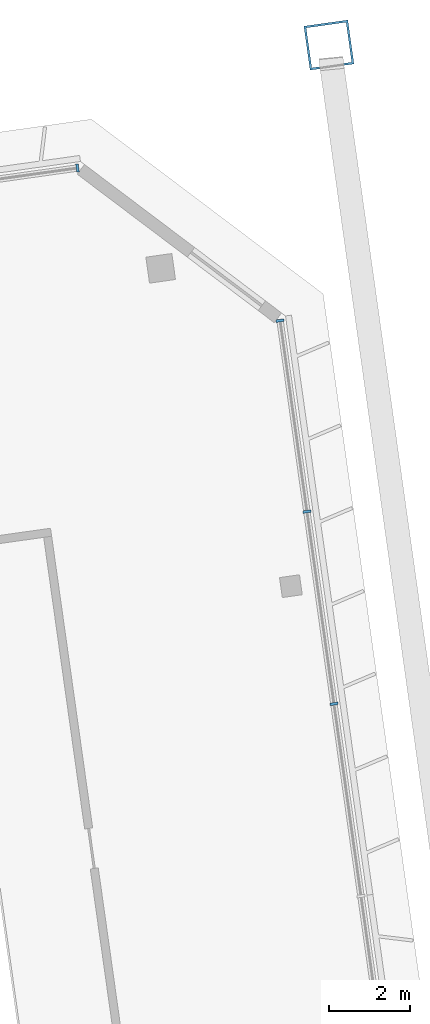
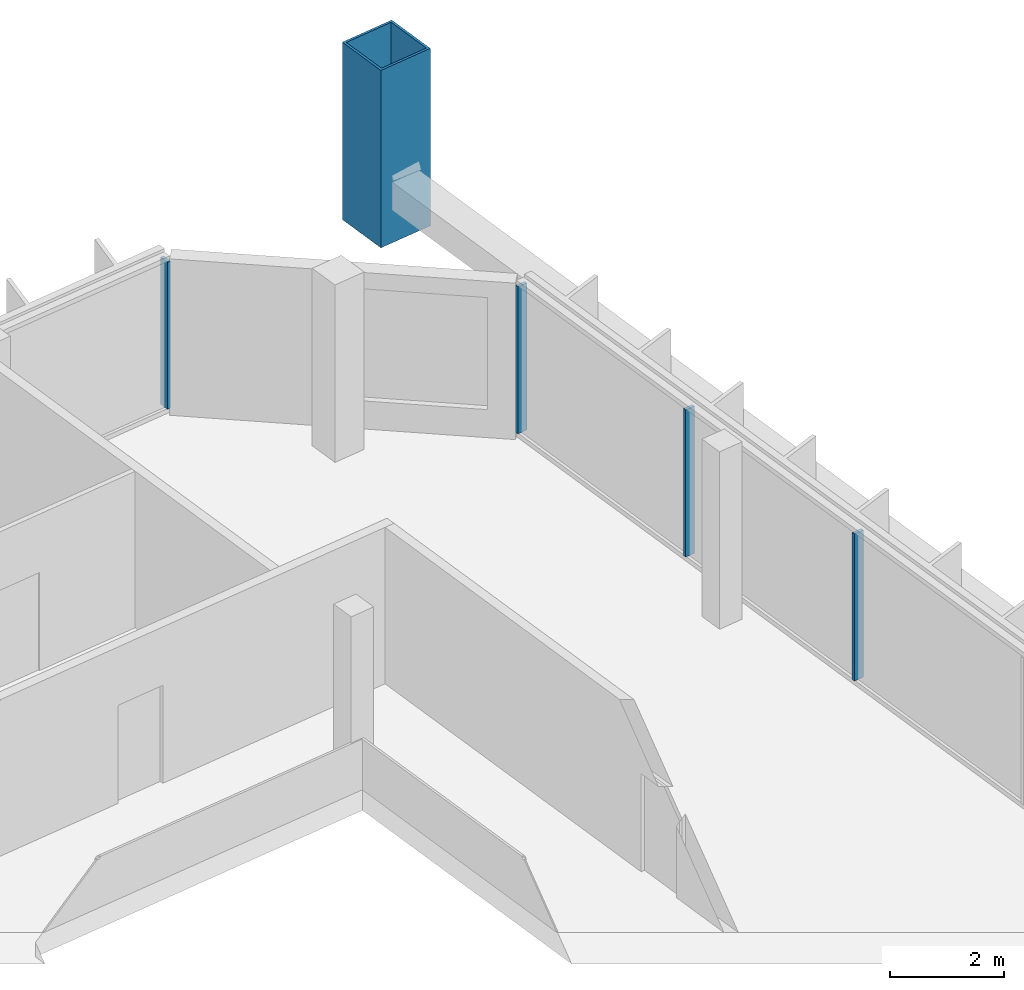
# One storey, part 14 of 26: 5 members, 2 elements without a shape of their own.
"""IFC4 building model written with IfcOpenShell, lengths in metres."""

from ifc_helpers import new_model, si_unit, direction, frame, origin, origin_2d, place, context, subcontext, project, spatial, rectangle, hollow_rectangle, extrude, material, material_profile, profile_set, type_object, element, aggregate, save


model = new_model("IFC4")

# Units and contexts
model_context = context("Model", 3, precision=1e-05, world=origin(), true_north=direction((0.0, 1.0)))
body_context = subcontext(model_context, "Body", "Model", "MODEL_VIEW")
ifc_project = project(units=[si_unit("LENGTHUNIT", "METRE"), si_unit("AREAUNIT", "SQUARE_METRE"), si_unit("VOLUMEUNIT", "CUBIC_METRE"), si_unit("PLANEANGLEUNIT", "RADIAN"), si_unit("MASSUNIT", "GRAM", prefix="KILO")], contexts=[model_context])

# Site, building, storey
site_placement = place(None, origin())
site = spatial("IfcSite", under=ifc_project, at=site_placement, CompositionType="ELEMENT")
building_placement = place(site_placement, origin())
building = spatial("IfcBuilding", under=site, at=building_placement, Name="Mirante Cascada Hotel Towers", CompositionType="ELEMENT")
storey_placement = place(building_placement, frame((0.0, 0.0, 235.6)))
storey = spatial("IfcBuildingStorey", under=building, at=storey_placement, Name="L56", CompositionType="ELEMENT", Elevation=235.6)

# Member
ifc_material_1 = material(Name="Steel ASTM A572 Gr 50", Category="steel")
ifc_material_profile_1 = material_profile(ifc_material_1, hollow_rectangle(XDim=1.1, YDim=1.1, WallThickness=0.05, at=origin_2d()), Name="Box post 1100x1100x50 ASTM A572 Gr 50")
ifc_profile_set_1 = profile_set([ifc_material_profile_1], Name="Steel ASTM A572 Gr 50")
member_type_1 = type_object("IfcMemberType", Name="Box post 1100x1100x50 ASTM A572 Gr 50", PredefinedType="POST", material=ifc_profile_set_1)
member_1_placement = place(storey_placement, frame((64.7076, 24.0842, 0.0), z_axis=(0.0, 0.0, 1.0), x_axis=(0.9902681, 0.1391731, 0.0)))
element("IfcMember", 1, at=member_1_placement, inside=storey, type_object=member_type_1, Name="Mega column MP3 T2 L56", PredefinedType="POST", context=body_context, shape_type="SweptSolid", body=[
    extrude(hollow_rectangle(XDim=1.1, YDim=1.1, WallThickness=0.05, at=origin_2d()), origin(), (0.0, 0.0, 1.0), 3.8),
])

# Curtain wall, member
ifc_material_2 = material(Name="Aluminium mullion and transom frame with clear laminated glass", Category="aluminium")
curtain_wall_type_1 = type_object("IfcCurtainWallType", Name="Ribbon curtain wall ECW1", PredefinedType="NOTDEFINED", material=ifc_material_2)
curtain_wall_1_placement = place(storey_placement, origin())
curtain_wall_1 = element("IfcCurtainWall", 2, at=curtain_wall_1_placement, inside=storey, type_object=curtain_wall_type_1, Name="Front ribbon wall T2 L56", PredefinedType="NOTDEFINED")
ifc_material_3 = material(Name="Anodised aluminium extrusion", Category="aluminium")
ifc_material_profile_2 = material_profile(ifc_material_3, rectangle(XDim=0.2, YDim=0.065, at=origin_2d()), Name="ECW1 MULLION 65x200")
ifc_profile_set_2 = profile_set([ifc_material_profile_2], Name="Anodised aluminium extrusion")
member_type_2 = type_object("IfcMemberType", Name="ECW1 mullion 65x200", PredefinedType="MULLION", material=ifc_profile_set_2)
member_2_placement = place(storey_placement, frame((58.4763, 21.0373, 0.1), z_axis=(0.0, 0.0, 1.0), x_axis=(0.1391731, -0.9902681, 0.0)))
member_2 = element("IfcMember", 3, at=member_2_placement, type_object=member_type_2, Name="ECW1 mullion 1", PredefinedType="MULLION", context=body_context, shape_type="SweptSolid", body=[
    extrude(rectangle(XDim=0.2, YDim=0.065, at=origin_2d()), origin(), (0.0, 0.0, 1.0), 3.15),
])
aggregate(curtain_wall_1, [member_2])

# Curtain wall, members
ifc_material_4 = material(Name="Aluminium mullion and transom frame with clear laminated glass", Category="aluminium")
curtain_wall_type_2 = type_object("IfcCurtainWallType", Name="End ribbon curtain wall ECW2", PredefinedType="NOTDEFINED", material=ifc_material_4)
curtain_wall_2_placement = place(storey_placement, origin())
curtain_wall_2 = element("IfcCurtainWall", 4, at=curtain_wall_2_placement, inside=storey, type_object=curtain_wall_type_2, Name="Outer end wall T2 L56", PredefinedType="NOTDEFINED")
ifc_material_5 = material(Name="Anodised aluminium extrusion", Category="aluminium")
ifc_material_profile_3 = material_profile(ifc_material_5, rectangle(XDim=0.2, YDim=0.065, at=origin_2d()), Name="ECW2 MULLION 65x200")
ifc_profile_set_3 = profile_set([ifc_material_profile_3], Name="Anodised aluminium extrusion")
member_type_3 = type_object("IfcMemberType", Name="ECW2 mullion 65x200", PredefinedType="MULLION", material=ifc_profile_set_3)
member_3_placement = place(storey_placement, frame((64.8313, 7.7551, 0.1), z_axis=(0.0, 0.0, 1.0), x_axis=(-0.9902681, -0.1391731, 0.0)))
member_3 = element("IfcMember", 5, at=member_3_placement, type_object=member_type_3, Name="ECW2 mullion 5", PredefinedType="MULLION", context=body_context, shape_type="SweptSolid", body=[
    extrude(rectangle(XDim=0.2, YDim=0.065, at=origin_2d()), origin(), (0.0, 0.0, 1.0), 3.15),
])
member_4_placement = place(storey_placement, frame((64.1615, 12.5209, 0.1), z_axis=(0.0, 0.0, 1.0), x_axis=(-0.9902681, -0.1391731, 0.0)))
member_4 = element("IfcMember", 6, at=member_4_placement, type_object=member_type_3, Name="ECW2 mullion 6", PredefinedType="MULLION", context=body_context, shape_type="SweptSolid", body=[
    extrude(rectangle(XDim=0.2, YDim=0.065, at=origin_2d()), origin(), (0.0, 0.0, 1.0), 3.15),
])
member_5_placement = place(storey_placement, frame((63.4963, 17.2545, 0.1), z_axis=(0.0, 0.0, 1.0), x_axis=(-0.9902681, -0.1391731, 0.0)))
member_5 = element("IfcMember", 7, at=member_5_placement, type_object=member_type_3, Name="ECW2 mullion 7", PredefinedType="MULLION", context=body_context, shape_type="SweptSolid", body=[
    extrude(rectangle(XDim=0.2, YDim=0.065, at=origin_2d()), origin(), (0.0, 0.0, 1.0), 3.15),
])
aggregate(curtain_wall_2, [member_3, member_4, member_5])

save(model, "model.ifc")
